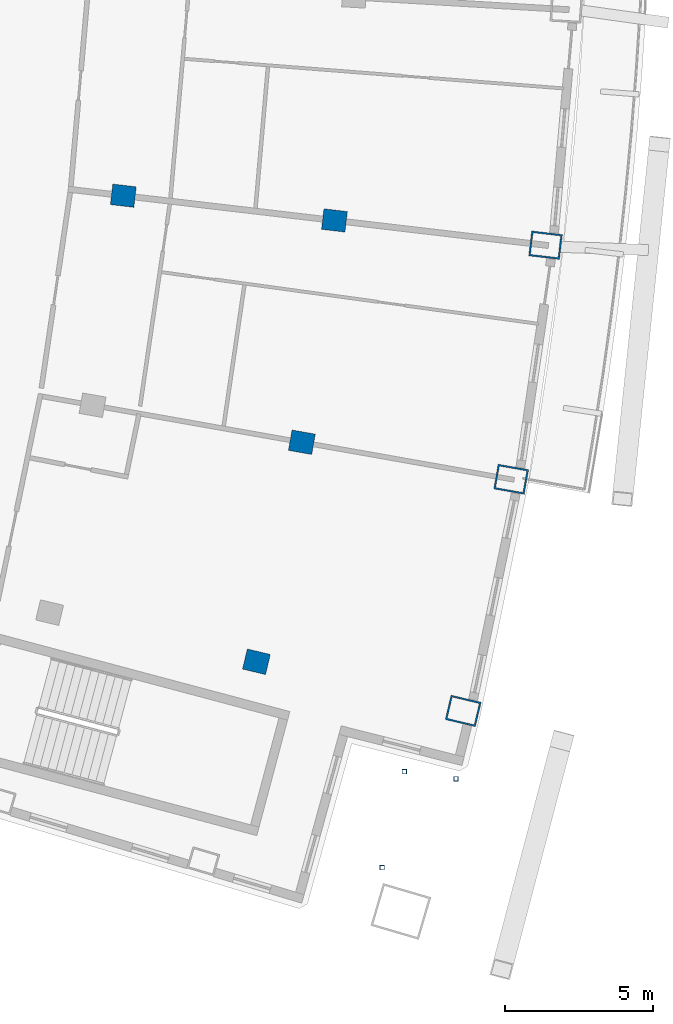
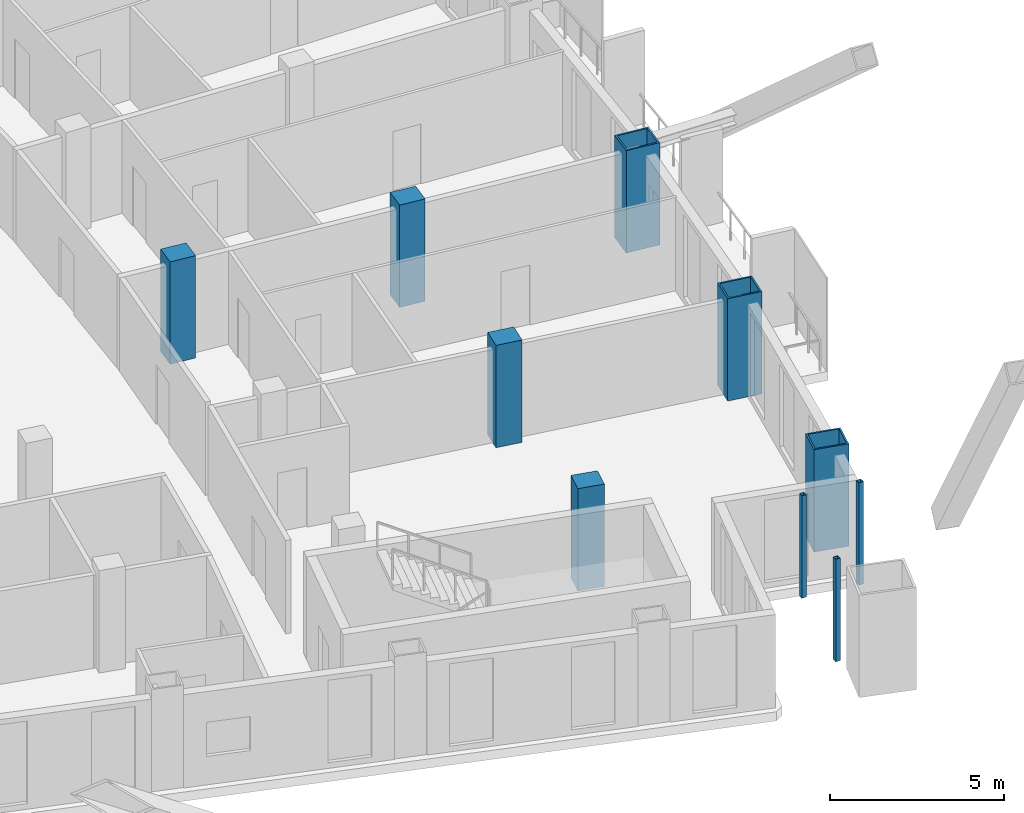
# One storey, part 3 of 19: 10 columns.
"""IFC4 building model written with IfcOpenShell, lengths in metres."""

from ifc_helpers import new_model, si_unit, direction, frame, origin, origin_2d, place, context, subcontext, project, spatial, rectangle, hollow_rectangle, extrude, material, material_profile, profile_set, type_object, element, save


model = new_model("IFC4")

# Units and contexts
model_context = context("Model", 3, precision=1e-05, world=origin(), true_north=direction((0.0, 1.0)))
body_context = subcontext(model_context, "Body", "Model", "MODEL_VIEW")
ifc_project = project(units=[si_unit("LENGTHUNIT", "METRE"), si_unit("AREAUNIT", "SQUARE_METRE"), si_unit("VOLUMEUNIT", "CUBIC_METRE"), si_unit("PLANEANGLEUNIT", "RADIAN"), si_unit("MASSUNIT", "GRAM", prefix="KILO")], contexts=[model_context])

# Site, building, storey
site_placement = place(None, origin())
site = spatial("IfcSite", under=ifc_project, at=site_placement, CompositionType="ELEMENT")
building_placement = place(site_placement, origin())
building = spatial("IfcBuilding", under=site, at=building_placement, Name="Alderwake Tower", CompositionType="ELEMENT")
storey_placement = place(building_placement, frame((0.0, 0.0, 221.60009765625)))
storey = spatial("IfcBuildingStorey", under=building, at=storey_placement, Name="L55", CompositionType="ELEMENT", Elevation=221.60009765625)

# Columns
ifc_material_1 = material(Name="Concrete C70/85", Category="concrete")
ifc_material_profile_1 = material_profile(ifc_material_1, rectangle(XDim=0.699951171875, YDim=0.800048828125, at=origin_2d()), Name="RC 800X700")
ifc_profile_set_1 = profile_set([ifc_material_profile_1], Name="Concrete C70/85")
column_type_1 = type_object("IfcColumnType", Name="Interior column Z4", PredefinedType="COLUMN", material=ifc_profile_set_1)
for number, where, z_axis, x_axis, name in (
    (1, (46.671630859375, 30.89501953125, 0.0), (0.0, 0.0, 1.0), (0.231221547198, 0.972901123502, 0.0), "Column R03-C4"),
    (2, (48.21142578125, 38.3310546875, 0.0), (0.0, 0.0, 1.0), (0.174108800747, 0.984726421654, 0.0), "Column R04-C4"),
    (3, (42.163818359375, 46.6826171875, 0.0), (0.0, 0.0, 1.0), (0.116402054316, 0.993202175668, 0.0), "Column R05-C3"),
    (4, (49.31494140625, 45.844482421875, 0.0), (0.0, 0.0, 1.0), (0.116402054316, 0.993202175668, 0.0), "Column R05-C4"),
):
    element("IfcColumn", number, at=place(storey_placement, frame(where, z_axis=z_axis, x_axis=x_axis)), inside=storey, type_object=column_type_1, Name=name, PredefinedType="COLUMN", context=body_context, shape_type="SweptSolid", body=[
        extrude(rectangle(XDim=0.699951171875, YDim=0.800048828125, at=origin_2d()), origin(), (0.0, 0.0, 1.0), 3.599853515625),
    ])
ifc_material_2 = material(Name="Steel ASTM A500 Grade C", Category="steel")
ifc_material_profile_2 = material_profile(ifc_material_2, hollow_rectangle(XDim=0.15234375, YDim=0.15234375, WallThickness=0.0087890625, at=origin_2d()), Name="HSS6X6X3/8")
ifc_profile_set_2 = profile_set([ifc_material_profile_2], Name="Steel ASTM A500 Grade C")
column_type_2 = type_object("IfcColumnType", Name="Light post HSS6X6X3/8", PredefinedType="COLUMN", material=ifc_profile_set_2)
for number, where, z_axis, x_axis, name in (
    (5, (53.4326171875, 26.925537109375, 0.0), (0.0, 0.0, 1.0), (1.0, 0.0, 0.0), "Terrace post FS1"),
    (6, (50.9326171875, 23.925537109375, 0.0), (0.0, 0.0, 1.0), (1.0, 0.0, 0.0), "Terrace post FS2"),
    (7, (51.6826171875, 27.175537109375, 0.0), (0.0, 0.0, 1.0), (1.0, 0.0, 0.0), "Terrace post FS3"),
):
    element("IfcColumn", number, at=place(storey_placement, frame(where, z_axis=z_axis, x_axis=x_axis)), inside=storey, type_object=column_type_2, Name=name, PredefinedType="COLUMN", context=body_context, shape_type="SweptSolid", body=[
        extrude(hollow_rectangle(XDim=0.15234375, YDim=0.15234375, WallThickness=0.0087890625, at=origin_2d()), origin(), (0.0, 0.0, 1.0), 3.599853515625),
    ])
ifc_material_3 = material(Name="Steel ASTM A572 Grade 50 concrete filled C70/85", Category="concrete")
ifc_material_profile_3 = material_profile(ifc_material_3, hollow_rectangle(XDim=0.85009765625, YDim=1.050048828125, WallThickness=0.054931640625, at=origin_2d()), Name="BOX 1050X850X55")
ifc_profile_set_3 = profile_set([ifc_material_profile_3], Name="Steel ASTM A572 Grade 50 concrete filled C70/85")
column_type_3 = type_object("IfcColumnType", Name="Perimeter column Z4", PredefinedType="COLUMN", material=ifc_profile_set_3)
for number, where, z_axis, x_axis, name in (
    (8, (53.676513671875, 29.22998046875, 0.0), (0.0, 0.0, 1.0), (0.231221547198, 0.972901123502, 0.0), "Column R03-C5"),
    (9, (55.301513671875, 37.077392578125, 0.0), (0.0, 0.0, 1.0), (0.174108800747, 0.984726421654, 0.0), "Column R04-C5"),
    (10, (56.466064453125, 45.00634765625, 0.0), (0.0, 0.0, 1.0), (0.116402054316, 0.993202175668, 0.0), "Column R05-C5"),
):
    element("IfcColumn", number, at=place(storey_placement, frame(where, z_axis=z_axis, x_axis=x_axis)), inside=storey, type_object=column_type_3, Name=name, PredefinedType="COLUMN", context=body_context, shape_type="SweptSolid", body=[
        extrude(hollow_rectangle(XDim=0.85009765625, YDim=1.050048828125, WallThickness=0.054931640625, at=origin_2d()), origin(), (0.0, 0.0, 1.0), 3.599853515625),
    ])

save(model, "model.ifc")
